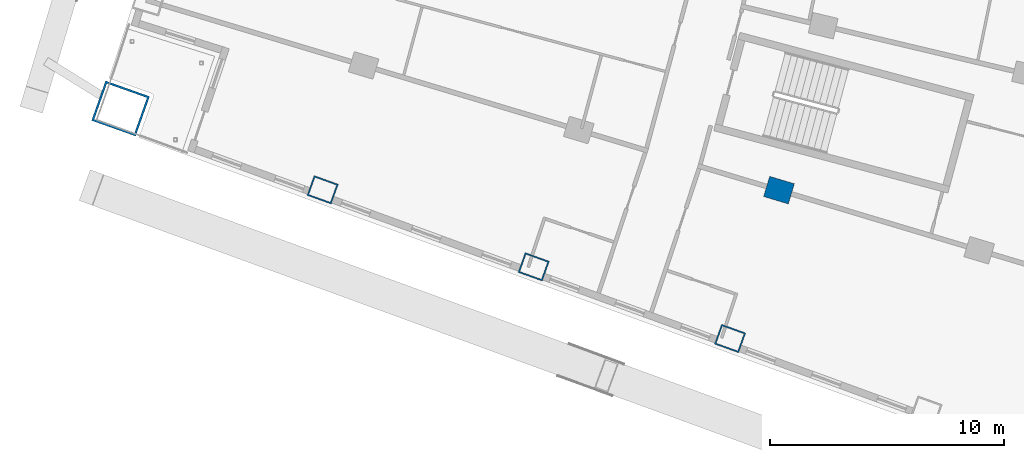
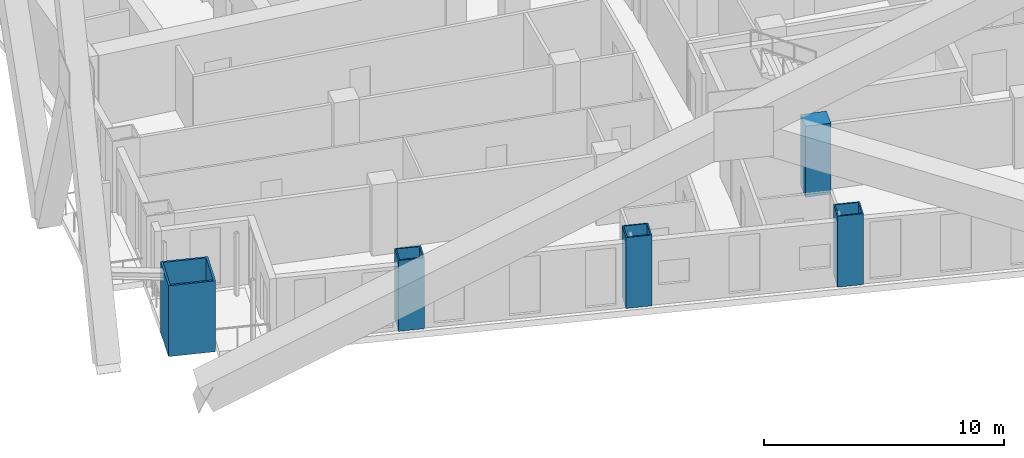
# One storey, part 1 of 23: 5 columns.
"""IFC4 building model written with IfcOpenShell, lengths in metres."""

from ifc_helpers import new_model, si_unit, direction, frame, origin, origin_2d, place, context, subcontext, project, spatial, rectangle, hollow_rectangle, extrude, material, material_profile, profile_set, type_object, element, save


model = new_model("IFC4")

# Units and contexts
model_context = context("Model", 3, precision=1e-05, world=origin(), true_north=direction((0.0, 1.0)))
body_context = subcontext(model_context, "Body", "Model", "MODEL_VIEW")
ifc_project = project(units=[si_unit("LENGTHUNIT", "METRE"), si_unit("AREAUNIT", "SQUARE_METRE"), si_unit("VOLUMEUNIT", "CUBIC_METRE"), si_unit("PLANEANGLEUNIT", "RADIAN"), si_unit("MASSUNIT", "GRAM", prefix="KILO")], contexts=[model_context])

# Site, building, storey
site_placement = place(None, origin())
site = spatial("IfcSite", under=ifc_project, at=site_placement, CompositionType="ELEMENT")
building_placement = place(site_placement, origin())
building = spatial("IfcBuilding", under=site, at=building_placement, Name="Alderwake Tower", CompositionType="ELEMENT")
storey_placement = place(building_placement, frame((0.0, 0.0, 53.60009765625)))
storey = spatial("IfcBuildingStorey", under=building, at=storey_placement, Name="L12", CompositionType="ELEMENT", Elevation=53.60009765625)

# Columns
ifc_material_1 = material(Name="Steel ASTM A572 Grade 50 concrete filled C70/85", Category="concrete")
ifc_material_profile_1 = material_profile(ifc_material_1, hollow_rectangle(XDim=0.89990234375, YDim=1.10009765625, WallThickness=0.06005859375, at=origin_2d()), Name="BOX 1100X900X60")
ifc_profile_set_1 = profile_set([ifc_material_profile_1], Name="Steel ASTM A572 Grade 50 concrete filled C70/85")
column_type_1 = type_object("IfcColumnType", Name="End column Z1", PredefinedType="COLUMN", material=ifc_profile_set_1)
for number, where, z_axis, x_axis, name in (
    (1, (19.965576171875, 25.1484375, 0.0), (0.0, 0.0, 1.0), (0.337584879279, 0.9412950915, 0.0), "Column R01-C1"),
    (2, (28.983642578125, 21.856689453125, 0.0), (0.0, 0.0, 1.0), (0.338026774049, 0.941136493834, 0.0), "Column R01-C2"),
    (3, (37.37548828125, 18.793212890625, 0.0), (0.0, 0.0, 1.0), (0.338374980629, 0.941011356193, 0.0), "Column R01-C3"),
):
    element("IfcColumn", number, at=place(storey_placement, frame(where, z_axis=z_axis, x_axis=x_axis)), inside=storey, type_object=column_type_1, Name=name, PredefinedType="COLUMN", context=body_context, shape_type="SweptSolid", body=[
        extrude(hollow_rectangle(XDim=0.89990234375, YDim=1.10009765625, WallThickness=0.06005859375, at=origin_2d()), origin(), (0.0, 0.0, 1.0), 3.599853515625),
    ])
ifc_material_2 = material(Name="Concrete C70/85", Category="concrete")
ifc_material_profile_2 = material_profile(ifc_material_2, rectangle(XDim=0.89990234375, YDim=1.10009765625, at=origin_2d()), Name="RC 1100X900")
ifc_profile_set_2 = profile_set([ifc_material_profile_2], Name="Concrete C70/85")
column_type_2 = type_object("IfcColumnType", Name="Interior column Z1", PredefinedType="COLUMN", material=ifc_profile_set_2)
column_1_placement = place(storey_placement, frame((39.46533203125, 25.133056640625, 0.0), z_axis=(0.0, 0.0, 1.0), x_axis=(0.287549418125, 0.957765802342, 0.0)))
element("IfcColumn", 4, at=column_1_placement, inside=storey, type_object=column_type_2, Name="Column R02-C3", PredefinedType="COLUMN", context=body_context, shape_type="SweptSolid", body=[
    extrude(rectangle(XDim=0.89990234375, YDim=1.10009765625, at=origin_2d()), origin(), (0.0, 0.0, 1.0), 3.599853515625),
])
ifc_material_3 = material(Name="Steel ASTM A572 Grade 50 concrete filled C70/85", Category="concrete")
ifc_material_profile_3 = material_profile(ifc_material_3, hollow_rectangle(XDim=1.800048828125, YDim=2.0, WallThickness=0.090087890625, at=origin_2d()), Name="BOX 2000X1800X90")
ifc_profile_set_3 = profile_set([ifc_material_profile_3], Name="Steel ASTM A572 Grade 50 concrete filled C70/85")
column_type_3 = type_object("IfcColumnType", Name="Mega column Z1", PredefinedType="COLUMN", material=ifc_profile_set_3)
column_2_placement = place(storey_placement, frame((11.330810546875, 28.622802734375, 0.0), z_axis=(0.0, 0.0, 1.0), x_axis=(0.334130947791, 0.942526662609, 0.0)))
element("IfcColumn", 5, at=column_2_placement, inside=storey, type_object=column_type_3, Name="Column R01-C0", PredefinedType="COLUMN", context=body_context, shape_type="SweptSolid", body=[
    extrude(hollow_rectangle(XDim=1.800048828125, YDim=2.0, WallThickness=0.090087890625, at=origin_2d()), origin(), (0.0, 0.0, 1.0), 3.599853515625),
])

save(model, "model.ifc")
